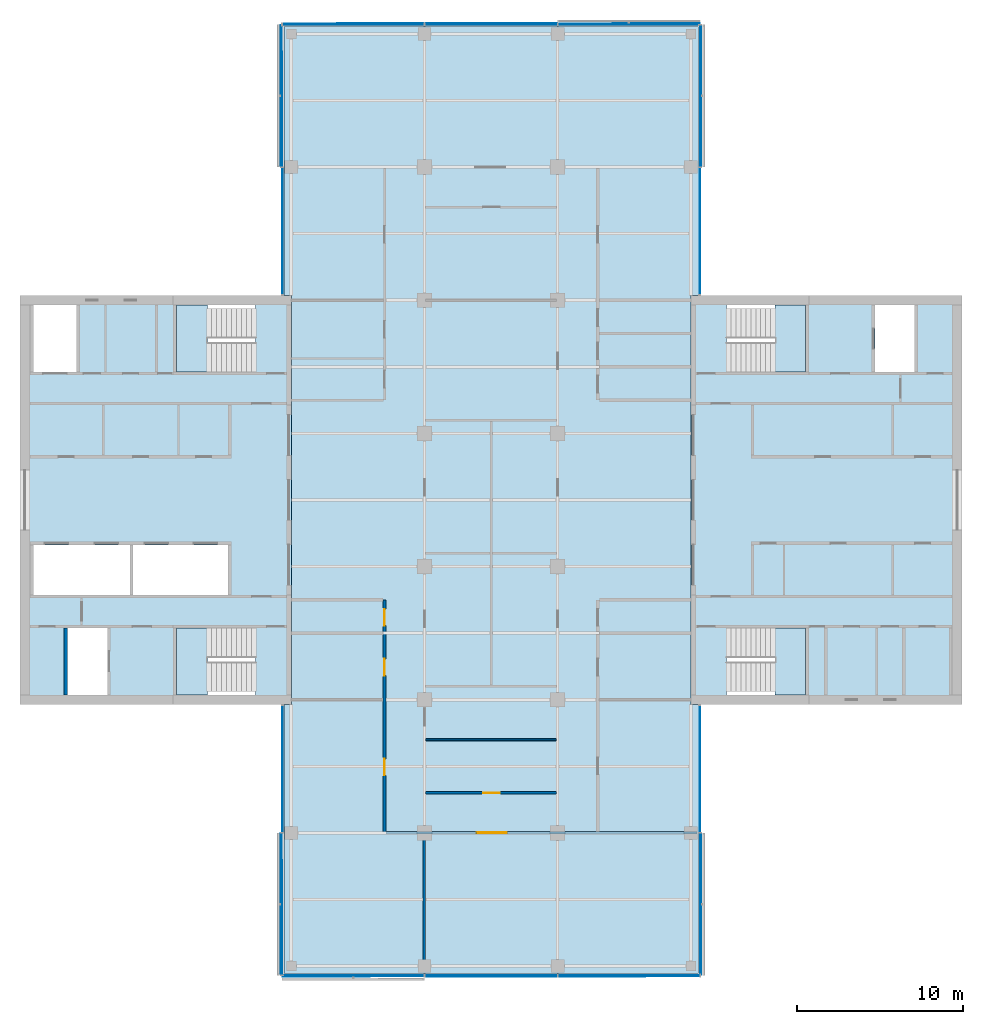
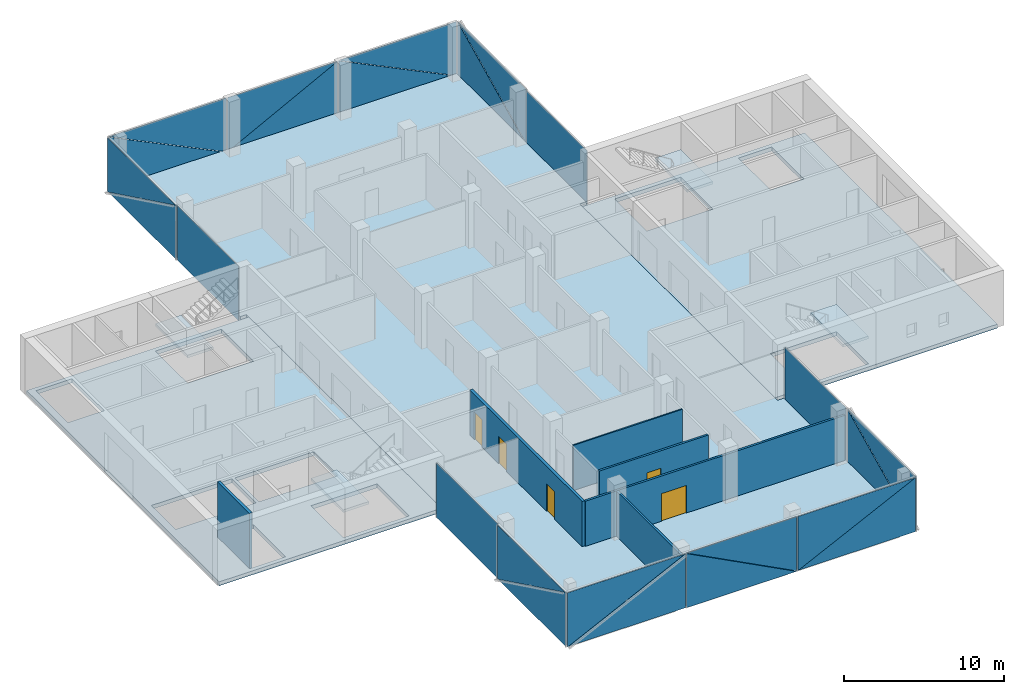
# One storey, part 8 of 16: 24 plates, 7 slabs, 6 walls, 5 doors, 5 openings, 14 elements without a shape of their own.
"""IFC4 building model written with IfcOpenShell, lengths in metres."""

from ifc_helpers import new_model, si_unit, direction, frame, frame_2d, origin, place, context, subcontext, project, spatial, polyline, rectangle, outline, extrude, material, layer, layer_set, type_object, element, fill, aggregate, save


model = new_model("IFC4")

# Units and contexts
model_context = context("Model", 3, precision=1e-05, world=origin(), true_north=direction((0.0, 1.0)))
body_context = subcontext(model_context, "Body", "Model", "MODEL_VIEW")
ifc_project = project(units=[si_unit("LENGTHUNIT", "METRE"), si_unit("AREAUNIT", "SQUARE_METRE"), si_unit("VOLUMEUNIT", "CUBIC_METRE"), si_unit("PLANEANGLEUNIT", "RADIAN"), si_unit("MASSUNIT", "GRAM", prefix="KILO")], contexts=[model_context])

# Site, building, storey
site_placement = place(None, origin())
site = spatial("IfcSite", under=ifc_project, at=site_placement, CompositionType="ELEMENT")
building_placement = place(site_placement, origin())
building = spatial("IfcBuilding", under=site, at=building_placement, Name="Crosswind Convention Tower", CompositionType="ELEMENT")
storey_placement = place(building_placement, frame((0.0, 0.0, 216.699951171875)))
storey = spatial("IfcBuildingStorey", under=building, at=storey_placement, Name="L46", CompositionType="ELEMENT", Elevation=216.699951171875)

# Slabs
ifc_material_1 = material(Name="Concrete C40/50", Category="concrete")
ifc_layer_1 = layer(ifc_material_1, 0.300048828125)
ifc_layer_set_1 = layer_set([ifc_layer_1], Name="Concrete C40/50")
slab_type_1 = type_object("IfcSlabType", Name="Composite floor slab 300", PredefinedType="FLOOR", material=ifc_layer_set_1)
slab_1_placement = place(storey_placement, frame((0.0, 0.0, -0.300048828125)))
element("IfcSlab", 1, at=slab_1_placement, inside=storey, type_object=slab_type_1, Name="Floor slab L46", PredefinedType="FLOOR", context=body_context, shape_type="SweptSolid", body=[
    extrude(outline(polyline([(137.449951171875, 71.550048828125), (137.0, 71.550048828125), (113.0, 71.550048828125), (112.550048828125, 71.550048828125), (112.550048828125, 72.0), (112.550048828125, 87.699951171875), (113.0, 87.699951171875), (113.0, 112.300048828125), (112.550048828125, 112.300048828125), (112.550048828125, 128.0), (112.550048828125, 128.449951171875), (113.0, 128.449951171875), (137.0, 128.449951171875), (137.449951171875, 128.449951171875), (137.449951171875, 128.0), (137.449951171875, 112.300048828125), (137.0, 112.300048828125), (137.0, 87.699951171875), (137.449951171875, 87.699951171875), (137.449951171875, 72.0), (137.449951171875, 71.550048828125)])), origin(), (0.0, 0.0, 1.0), 0.300048828125),
])
ifc_layer_2 = layer(ifc_material_1, 0.300048828125)
ifc_layer_set_2 = layer_set([ifc_layer_2], Name="Concrete C40/50")
slab_type_2 = type_object("IfcSlabType", Name="Concrete core floor slab 300", PredefinedType="FLOOR", material=ifc_layer_set_2)
slab_2_placement = place(storey_placement, frame((0.0, 0.0, -0.300048828125)))
element("IfcSlab", 2, at=slab_2_placement, inside=storey, type_object=slab_type_2, Name="Core floor slab E L46", PredefinedType="FLOOR", context=body_context, shape_type="SweptSolid", body=[
    extrude(outline(polyline([(137.0, 88.0), (153.0, 88.0), (153.0, 112.0), (137.0, 112.0), (137.0, 88.0)]), holes=[polyline([(150.449951171875, 107.699951171875), (150.449951171875, 111.699951171875), (148.050048828125, 111.699951171875), (148.050048828125, 107.699951171875), (150.449951171875, 107.699951171875)]), polyline([(143.89990234375, 107.699951171875), (143.89990234375, 111.699951171875), (139.14990234375, 111.699951171875), (139.14990234375, 107.699951171875), (143.89990234375, 107.699951171875)]), polyline([(143.89990234375, 88.300048828125), (143.89990234375, 92.300048828125), (139.14990234375, 92.300048828125), (139.14990234375, 88.300048828125), (143.89990234375, 88.300048828125)])]), origin(), (0.0, 0.0, 1.0), 0.300048828125),
])
slab_3_placement = place(storey_placement, frame((0.0, 0.0, -0.300048828125)))
element("IfcSlab", 3, at=slab_3_placement, inside=storey, type_object=slab_type_2, Name="Core floor slab W L46", PredefinedType="FLOOR", context=body_context, shape_type="SweptSolid", body=[
    extrude(outline(polyline([(97.0, 88.0), (113.0, 88.0), (113.0, 112.0), (97.0, 112.0), (97.0, 88.0)]), holes=[polyline([(109.199951171875, 94.300048828125), (109.199951171875, 97.300048828125), (103.5, 97.300048828125), (103.5, 94.300048828125), (109.199951171875, 94.300048828125)]), polyline([(103.300048828125, 94.300048828125), (103.300048828125, 97.300048828125), (97.5, 97.300048828125), (97.5, 94.300048828125), (103.300048828125, 94.300048828125)]), polyline([(101.949951171875, 88.300048828125), (101.949951171875, 92.300048828125), (99.550048828125, 92.300048828125), (99.550048828125, 88.300048828125), (101.949951171875, 88.300048828125)]), polyline([(100.10009765625, 107.699951171875), (100.10009765625, 111.699951171875), (97.5, 111.699951171875), (97.5, 107.699951171875), (100.10009765625, 107.699951171875)]), polyline([(110.85009765625, 88.300048828125), (110.85009765625, 92.300048828125), (106.10009765625, 92.300048828125), (106.10009765625, 88.300048828125), (110.85009765625, 88.300048828125)]), polyline([(110.85009765625, 107.699951171875), (110.85009765625, 111.699951171875), (106.10009765625, 111.699951171875), (106.10009765625, 107.699951171875), (110.85009765625, 107.699951171875)])]), origin(), (0.0, 0.0, 1.0), 0.300048828125),
])

# Stair, slab
stair_type = type_object("IfcStairType", Name="Exit stair 1800 wide, 2 flights of 11 risers", PredefinedType="HALF_TURN_STAIR", material=ifc_material_1)
stair_1_placement = place(storey_placement, origin())
stair_1 = element("IfcStair", 4, at=stair_1_placement, inside=storey, type_object=stair_type, Name="Exit stair ST1 L46", ObjectType="ST5", PredefinedType="HALF_TURN_STAIR")
ifc_layer_3 = layer(ifc_material_1, 0.199951171875)
ifc_layer_set_3 = layer_set([ifc_layer_3], Name="Concrete C40/50")
slab_type_3 = type_object("IfcSlabType", Name="Stair landing 200", PredefinedType="LANDING", material=ifc_layer_set_3)
slab_4_placement = place(storey_placement, frame((0.0, 0.0, 1.900146484375)))
slab_4 = element("IfcSlab", 5, at=slab_4_placement, type_object=slab_type_3, Name="ST1 landing 1", PredefinedType="LANDING", context=body_context, shape_type="SweptSolid", body=[
    extrude(outline(polyline([(143.89990234375, 107.699951171875), (143.89990234375, 111.699951171875), (142.050048828125, 111.699951171875), (142.050048828125, 107.699951171875), (143.89990234375, 107.699951171875)])), origin(), (0.0, 0.0, 1.0), 0.199951171875),
])
aggregate(stair_1, [slab_4])

stair_2_placement = place(storey_placement, origin())
stair_2 = element("IfcStair", 6, at=stair_2_placement, inside=storey, type_object=stair_type, Name="Exit stair ST2 L46", ObjectType="ST5", PredefinedType="HALF_TURN_STAIR")
slab_5_placement = place(storey_placement, frame((0.0, 0.0, 1.900146484375)))
slab_5 = element("IfcSlab", 7, at=slab_5_placement, type_object=slab_type_3, Name="ST2 landing 1", PredefinedType="LANDING", context=body_context, shape_type="SweptSolid", body=[
    extrude(outline(polyline([(143.89990234375, 88.300048828125), (143.89990234375, 92.300048828125), (142.050048828125, 92.300048828125), (142.050048828125, 88.300048828125), (143.89990234375, 88.300048828125)])), origin(), (0.0, 0.0, 1.0), 0.199951171875),
])
aggregate(stair_2, [slab_5])

stair_3_placement = place(storey_placement, origin())
stair_3 = element("IfcStair", 8, at=stair_3_placement, inside=storey, type_object=stair_type, Name="Exit stair ST3 L46", ObjectType="ST5", PredefinedType="HALF_TURN_STAIR")
slab_6_placement = place(storey_placement, frame((0.0, 0.0, 1.900146484375)))
slab_6 = element("IfcSlab", 9, at=slab_6_placement, type_object=slab_type_3, Name="ST3 landing 1", PredefinedType="LANDING", context=body_context, shape_type="SweptSolid", body=[
    extrude(outline(polyline([(107.949951171875, 88.300048828125), (107.949951171875, 92.300048828125), (106.10009765625, 92.300048828125), (106.10009765625, 88.300048828125), (107.949951171875, 88.300048828125)])), origin(), (0.0, 0.0, 1.0), 0.199951171875),
])
aggregate(stair_3, [slab_6])

stair_4_placement = place(storey_placement, origin())
stair_4 = element("IfcStair", 10, at=stair_4_placement, inside=storey, type_object=stair_type, Name="Exit stair ST4 L46", ObjectType="ST5", PredefinedType="HALF_TURN_STAIR")
slab_7_placement = place(storey_placement, frame((0.0, 0.0, 1.900146484375)))
slab_7 = element("IfcSlab", 11, at=slab_7_placement, type_object=slab_type_3, Name="ST4 landing 1", PredefinedType="LANDING", context=body_context, shape_type="SweptSolid", body=[
    extrude(outline(polyline([(107.949951171875, 107.699951171875), (107.949951171875, 111.699951171875), (106.10009765625, 111.699951171875), (106.10009765625, 107.699951171875), (107.949951171875, 107.699951171875)])), origin(), (0.0, 0.0, 1.0), 0.199951171875),
])
aggregate(stair_4, [slab_7])

# Curtain wall, plate
ifc_material_2 = material(Name="Aluminium unitised curtain wall", Category="aluminium")
curtain_wall_type_1 = type_object("IfcCurtainWallType", Name="CORE END SLOT WALL 160", PredefinedType="USERDEFINED", material=ifc_material_2)
curtain_wall_1_placement = place(storey_placement, origin())
curtain_wall_1 = element("IfcCurtainWall", 12, at=curtain_wall_1_placement, inside=storey, type_object=curtain_wall_type_1, Name="CW6 L46 N-E.1-1 slot", ObjectType="UNITISED", PredefinedType="USERDEFINED")
ifc_material_3 = material(Name="Laminated insulating glass unit", Category="glass")
ifc_layer_4 = layer(ifc_material_3, 0.02587890625)
ifc_layer_set_4 = layer_set([ifc_layer_4], Name="TRIANGULAR GLASS PANEL 26")
plate_type_1 = type_object("IfcPlateType", Name="TRIANGULAR GLASS PANEL 26", PredefinedType="CURTAIN_PANEL", material=ifc_layer_set_4)
plate_1_placement = place(storey_placement, frame((137.556884765625, 112.35009765625, -0.300048828125), z_axis=(0.999999915215, 0.0, 0.000411788894), x_axis=(0.0, 1.0, 0.0)))
plate_1 = element("IfcPlate", 13, at=plate_1_placement, type_object=plate_type_1, Name="CW6 panel 1.1", PredefinedType="CURTAIN_PANEL", context=body_context, shape_type="SweptSolid", body=[
    extrude(outline(polyline([(0.0, 0.0), (7.599853515625, 0.0), (7.599853515625, 4.150146836245408), (0.0, 4.150146836245408), (0.0, 0.0)])), origin(), (0.0, 0.0, -1.0), 0.02587890625),
])
aggregate(curtain_wall_1, [plate_1])

curtain_wall_2_placement = place(storey_placement, origin())
curtain_wall_2 = element("IfcCurtainWall", 14, at=curtain_wall_2_placement, inside=storey, type_object=curtain_wall_type_1, Name="CW6 L46 N-W.1-2 slot", ObjectType="UNITISED", PredefinedType="USERDEFINED")
plate_2_placement = place(storey_placement, frame((112.443115234375, 119.949951171875, -0.300048828125), z_axis=(-0.999999915215, 0.0, 0.000411788894), x_axis=(0.0, -1.0, 0.0)))
plate_2 = element("IfcPlate", 15, at=plate_2_placement, type_object=plate_type_1, Name="CW6 panel 1.1", PredefinedType="CURTAIN_PANEL", context=body_context, shape_type="SweptSolid", body=[
    extrude(outline(polyline([(0.0, 0.0), (7.599853515625, 0.0), (7.599853515625, 4.150146836245408), (0.0, 4.150146836245408), (0.0, 0.0)])), origin(), (0.0, 0.0, -1.0), 0.02587890625),
])
aggregate(curtain_wall_2, [plate_2])

curtain_wall_3_placement = place(storey_placement, origin())
curtain_wall_3 = element("IfcCurtainWall", 16, at=curtain_wall_3_placement, inside=storey, type_object=curtain_wall_type_1, Name="CW6 L46 S-W.1-1 slot", ObjectType="UNITISED", PredefinedType="USERDEFINED")
plate_3_placement = place(storey_placement, frame((112.443115234375, 87.64990234375, -0.300048828125), z_axis=(-0.999999915215, 0.0, 0.000411788894), x_axis=(0.0, -1.0, 0.0)))
plate_3 = element("IfcPlate", 17, at=plate_3_placement, type_object=plate_type_1, Name="CW6 panel 1.1", PredefinedType="CURTAIN_PANEL", context=body_context, shape_type="SweptSolid", body=[
    extrude(outline(polyline([(0.0, 0.0), (7.599853515625, 0.0), (7.599853515625, 4.150146836245408), (0.0, 4.150146836245408), (0.0, 0.0)])), origin(), (0.0, 0.0, -1.0), 0.02587890625),
])
aggregate(curtain_wall_3, [plate_3])

curtain_wall_4_placement = place(storey_placement, origin())
curtain_wall_4 = element("IfcCurtainWall", 18, at=curtain_wall_4_placement, inside=storey, type_object=curtain_wall_type_1, Name="CW6 L46 S-E.1-2 slot", ObjectType="UNITISED", PredefinedType="USERDEFINED")
plate_4_placement = place(storey_placement, frame((137.556884765625, 80.050048828125, -0.300048828125), z_axis=(0.999999915215, 0.0, 0.000411788894), x_axis=(0.0, 1.0, 0.0)))
plate_4 = element("IfcPlate", 19, at=plate_4_placement, type_object=plate_type_1, Name="CW6 panel 1.1", PredefinedType="CURTAIN_PANEL", context=body_context, shape_type="SweptSolid", body=[
    extrude(outline(polyline([(0.0, 0.0), (7.599853515625, 0.0), (7.599853515625, 4.150146836245408), (0.0, 4.150146836245408), (0.0, 0.0)])), origin(), (0.0, 0.0, -1.0), 0.02587890625),
])
aggregate(curtain_wall_4, [plate_4])

# Curtain wall, plates
curtain_wall_type_2 = type_object("IfcCurtainWallType", Name="OFFICE UNITISED WALL 220", PredefinedType="USERDEFINED", material=ifc_material_2)
curtain_wall_5_placement = place(storey_placement, origin())
curtain_wall_5 = element("IfcCurtainWall", 20, at=curtain_wall_5_placement, inside=storey, type_object=curtain_wall_type_2, Name="CW3 L46 N-E 1", ObjectType="UNITISED", PredefinedType="USERDEFINED")
ifc_layer_5 = layer(ifc_material_3, 0.031982421875)
ifc_layer_set_5 = layer_set([ifc_layer_5], Name="TRIANGULAR GLASS PANEL 32")
plate_type_2 = type_object("IfcPlateType", Name="TRIANGULAR GLASS PANEL 32", PredefinedType="CURTAIN_PANEL", material=ifc_layer_set_5)
plate_5_placement = place(storey_placement, frame((137.5927734375, 128.52490234375, -0.300048828125), z_axis=(0.999999913924, 0.0, 0.000414913129), x_axis=(-0.000414913129, 0.0, 0.999999913924)))
plate_5 = element("IfcPlate", 21, at=plate_5_placement, type_object=plate_type_2, Name="CW3 panel 1.1", PredefinedType="CURTAIN_PANEL", context=body_context, shape_type="SweptSolid", body=[
    extrude(outline(polyline([(0.0, 0.0), (4.118896838915043, 0.0), (0.0, 8.467041015624998), (0.0, 0.0)])), origin(), (0.0, 0.0, -1.0), 0.031982421875),
])
plate_6_placement = place(storey_placement, frame((137.625244140625, 120.034912109375, 3.830078125), z_axis=(0.99999993676, 0.0, 0.000355639833), x_axis=(0.000355639833, 0.0, -0.99999993676)))
plate_6 = element("IfcPlate", 22, at=plate_6_placement, type_object=plate_type_2, Name="CW3 panel 1.2", PredefinedType="CURTAIN_PANEL", context=body_context, shape_type="SweptSolid", body=[
    extrude(outline(polyline([(0.0, 0.0), (4.1188967448534015, 0.0), (0.0, 8.46728515625), (0.0, 0.0)])), origin(), (0.0, 0.0, -1.0), 0.031982421875),
])
aggregate(curtain_wall_5, [plate_5, plate_6])

curtain_wall_6_placement = place(storey_placement, origin())
curtain_wall_6 = element("IfcCurtainWall", 23, at=curtain_wall_6_placement, inside=storey, type_object=curtain_wall_type_2, Name="CW3 L46 N-TIP 1", ObjectType="UNITISED", PredefinedType="USERDEFINED")
plate_7_placement = place(storey_placement, frame((129.034912109375, 128.5927734375, -0.300048828125), z_axis=(0.0, 0.999999913924, 0.000414913129), x_axis=(0.0, -0.000414913129, 0.999999913924)))
plate_7 = element("IfcPlate", 24, at=plate_7_placement, type_object=plate_type_2, Name="CW3 panel 1.1", PredefinedType="CURTAIN_PANEL", context=body_context, shape_type="SweptSolid", body=[
    extrude(outline(polyline([(0.0, 0.0), (4.118896838915043, 0.0), (0.0, 8.467285156249998), (0.0, 0.0)])), origin(), (0.0, 0.0, -1.0), 0.031982421875),
])
plate_8_placement = place(storey_placement, frame((137.52490234375, 128.625244140625, 3.830078125), z_axis=(0.0, 0.99999993676, 0.000355639833), x_axis=(0.0, 0.000355639833, -0.99999993676)))
plate_8 = element("IfcPlate", 25, at=plate_8_placement, type_object=plate_type_2, Name="CW3 panel 1.2", PredefinedType="CURTAIN_PANEL", context=body_context, shape_type="SweptSolid", body=[
    extrude(outline(polyline([(0.0, 0.0), (4.1188967448534015, 0.0), (0.0, 8.467041015625), (0.0, 0.0)])), origin(), (0.0, 0.0, -1.0), 0.031982421875),
])
plate_9_placement = place(storey_placement, frame((121.034912109375, 128.591064453125, 3.830078125), z_axis=(0.0, 0.999999913913, 0.000414937724), x_axis=(1.0, 0.0, 0.0)))
plate_9 = element("IfcPlate", 26, at=plate_9_placement, type_object=plate_type_2, Name="CW3 panel 2.1", PredefinedType="CURTAIN_PANEL", context=body_context, shape_type="SweptSolid", body=[
    extrude(outline(polyline([(0.0, 0.0), (7.908447265625, 0.0), (0.0, 4.118652698311059), (0.0, 0.0)])), origin(), (0.0, 0.0, -1.0), 0.031982421875),
])
plate_10_placement = place(storey_placement, frame((128.965087890625, 128.626708984375, -0.300048828125), z_axis=(0.0, 0.99999993676, 0.000355639833), x_axis=(-1.0, 0.0, 0.0)))
plate_10 = element("IfcPlate", 27, at=plate_10_placement, type_object=plate_type_2, Name="CW3 panel 2.2", PredefinedType="CURTAIN_PANEL", context=body_context, shape_type="SweptSolid", body=[
    extrude(outline(polyline([(0.0, 0.0), (7.908447265625, 0.0), (0.0, 4.1188967448534015), (0.0, 0.0)])), origin(), (0.0, 0.0, -1.0), 0.031982421875),
])
plate_11_placement = place(storey_placement, frame((112.47509765625, 128.5927734375, -0.300048828125), z_axis=(0.0, 0.999999913924, 0.000414913129), x_axis=(0.0, -0.000414913129, 0.999999913924)))
plate_11 = element("IfcPlate", 28, at=plate_11_placement, type_object=plate_type_2, Name="CW3 panel 3.1", PredefinedType="CURTAIN_PANEL", context=body_context, shape_type="SweptSolid", body=[
    extrude(outline(polyline([(0.0, 0.0), (4.118896838915043, 0.0), (0.0, 8.467041015624998), (0.0, 0.0)])), origin(), (0.0, 0.0, -1.0), 0.031982421875),
])
plate_12_placement = place(storey_placement, frame((120.965087890625, 128.625244140625, 3.830078125), z_axis=(0.0, 0.99999993676, 0.000355639833), x_axis=(0.0, 0.000355639833, -0.99999993676)))
plate_12 = element("IfcPlate", 29, at=plate_12_placement, type_object=plate_type_2, Name="CW3 panel 3.2", PredefinedType="CURTAIN_PANEL", context=body_context, shape_type="SweptSolid", body=[
    extrude(outline(polyline([(0.0, 0.0), (4.1188967448534015, 0.0), (0.0, 8.46728515625), (0.0, 0.0)])), origin(), (0.0, 0.0, -1.0), 0.031982421875),
])
aggregate(curtain_wall_6, [plate_7, plate_8, plate_9, plate_10, plate_11, plate_12])

curtain_wall_7_placement = place(storey_placement, origin())
curtain_wall_7 = element("IfcCurtainWall", 30, at=curtain_wall_7_placement, inside=storey, type_object=curtain_wall_type_2, Name="CW3 L46 N-W 1", ObjectType="UNITISED", PredefinedType="USERDEFINED")
plate_13_placement = place(storey_placement, frame((112.4072265625, 120.034912109375, -0.300048828125), z_axis=(-0.999999913924, 0.0, 0.000414913129), x_axis=(0.000414913129, 0.0, 0.999999913924)))
plate_13 = element("IfcPlate", 31, at=plate_13_placement, type_object=plate_type_2, Name="CW3 panel 1.1", PredefinedType="CURTAIN_PANEL", context=body_context, shape_type="SweptSolid", body=[
    extrude(outline(polyline([(0.0, 0.0), (4.118896838915043, 0.0), (0.0, 8.467285156249998), (0.0, 0.0)])), origin(), (0.0, 0.0, -1.0), 0.031982421875),
])
plate_14_placement = place(storey_placement, frame((112.374755859375, 128.52490234375, 3.830078125), z_axis=(-0.99999993676, 0.0, 0.000355639833), x_axis=(-0.000355639833, 0.0, -0.99999993676)))
plate_14 = element("IfcPlate", 32, at=plate_14_placement, type_object=plate_type_2, Name="CW3 panel 1.2", PredefinedType="CURTAIN_PANEL", context=body_context, shape_type="SweptSolid", body=[
    extrude(outline(polyline([(0.0, 0.0), (4.1188967448534015, 0.0), (0.0, 8.467041015625), (0.0, 0.0)])), origin(), (0.0, 0.0, -1.0), 0.031982421875),
])
aggregate(curtain_wall_7, [plate_13, plate_14])

curtain_wall_8_placement = place(storey_placement, origin())
curtain_wall_8 = element("IfcCurtainWall", 33, at=curtain_wall_8_placement, inside=storey, type_object=curtain_wall_type_2, Name="CW3 L46 S-W 1", ObjectType="UNITISED", PredefinedType="USERDEFINED")
plate_15_placement = place(storey_placement, frame((112.4072265625, 71.47509765625, -0.300048828125), z_axis=(-0.999999913924, 0.0, 0.000414913129), x_axis=(0.000414913129, 0.0, 0.999999913924)))
plate_15 = element("IfcPlate", 34, at=plate_15_placement, type_object=plate_type_2, Name="CW3 panel 1.1", PredefinedType="CURTAIN_PANEL", context=body_context, shape_type="SweptSolid", body=[
    extrude(outline(polyline([(0.0, 0.0), (4.118896838915043, 0.0), (0.0, 8.467041015624998), (0.0, 0.0)])), origin(), (0.0, 0.0, -1.0), 0.031982421875),
])
plate_16_placement = place(storey_placement, frame((112.374755859375, 79.965087890625, 3.830078125), z_axis=(-0.99999993676, 0.0, 0.000355639833), x_axis=(-0.000355639833, 0.0, -0.99999993676)))
plate_16 = element("IfcPlate", 35, at=plate_16_placement, type_object=plate_type_2, Name="CW3 panel 1.2", PredefinedType="CURTAIN_PANEL", context=body_context, shape_type="SweptSolid", body=[
    extrude(outline(polyline([(0.0, 0.0), (4.1188967448534015, 0.0), (0.0, 8.46728515625), (0.0, 0.0)])), origin(), (0.0, 0.0, -1.0), 0.031982421875),
])
aggregate(curtain_wall_8, [plate_15, plate_16])

curtain_wall_9_placement = place(storey_placement, origin())
curtain_wall_9 = element("IfcCurtainWall", 36, at=curtain_wall_9_placement, inside=storey, type_object=curtain_wall_type_2, Name="CW3 L46 S-TIP 1", ObjectType="UNITISED", PredefinedType="USERDEFINED")
plate_17_placement = place(storey_placement, frame((120.965087890625, 71.4072265625, -0.300048828125), z_axis=(0.0, -0.999999913924, 0.000414913129), x_axis=(0.0, 0.000414913129, 0.999999913924)))
plate_17 = element("IfcPlate", 37, at=plate_17_placement, type_object=plate_type_2, Name="CW3 panel 1.1", PredefinedType="CURTAIN_PANEL", context=body_context, shape_type="SweptSolid", body=[
    extrude(outline(polyline([(0.0, 0.0), (4.118896838915043, 0.0), (0.0, 8.467285156249998), (0.0, 0.0)])), origin(), (0.0, 0.0, -1.0), 0.031982421875),
])
plate_18_placement = place(storey_placement, frame((112.47509765625, 71.374755859375, 3.830078125), z_axis=(0.0, -0.99999993676, 0.000355639833), x_axis=(0.0, -0.000355639833, -0.99999993676)))
plate_18 = element("IfcPlate", 38, at=plate_18_placement, type_object=plate_type_2, Name="CW3 panel 1.2", PredefinedType="CURTAIN_PANEL", context=body_context, shape_type="SweptSolid", body=[
    extrude(outline(polyline([(0.0, 0.0), (4.1188967448534015, 0.0), (0.0, 8.467041015625), (0.0, 0.0)])), origin(), (0.0, 0.0, -1.0), 0.031982421875),
])
plate_19_placement = place(storey_placement, frame((128.965087890625, 71.408935546875, 3.830078125), z_axis=(0.0, -0.999999913913, 0.000414937724), x_axis=(-1.0, 0.0, 0.0)))
plate_19 = element("IfcPlate", 39, at=plate_19_placement, type_object=plate_type_2, Name="CW3 panel 2.1", PredefinedType="CURTAIN_PANEL", context=body_context, shape_type="SweptSolid", body=[
    extrude(outline(polyline([(0.0, 0.0), (7.908447265625, 0.0), (0.0, 4.118652698311059), (0.0, 0.0)])), origin(), (0.0, 0.0, -1.0), 0.031982421875),
])
plate_20_placement = place(storey_placement, frame((121.034912109375, 71.373291015625, -0.300048828125), z_axis=(0.0, -0.99999993676, 0.000355639833), x_axis=(1.0, 0.0, 0.0)))
plate_20 = element("IfcPlate", 40, at=plate_20_placement, type_object=plate_type_2, Name="CW3 panel 2.2", PredefinedType="CURTAIN_PANEL", context=body_context, shape_type="SweptSolid", body=[
    extrude(outline(polyline([(0.0, 0.0), (7.908447265625, 0.0), (0.0, 4.1188967448534015), (0.0, 0.0)])), origin(), (0.0, 0.0, -1.0), 0.031982421875),
])
plate_21_placement = place(storey_placement, frame((137.52490234375, 71.4072265625, -0.300048828125), z_axis=(0.0, -0.999999913924, 0.000414913129), x_axis=(0.0, 0.000414913129, 0.999999913924)))
plate_21 = element("IfcPlate", 41, at=plate_21_placement, type_object=plate_type_2, Name="CW3 panel 3.1", PredefinedType="CURTAIN_PANEL", context=body_context, shape_type="SweptSolid", body=[
    extrude(outline(polyline([(0.0, 0.0), (4.118896838915043, 0.0), (0.0, 8.467041015624998), (0.0, 0.0)])), origin(), (0.0, 0.0, -1.0), 0.031982421875),
])
plate_22_placement = place(storey_placement, frame((129.034912109375, 71.374755859375, 3.830078125), z_axis=(0.0, -0.99999993676, 0.000355639833), x_axis=(0.0, -0.000355639833, -0.99999993676)))
plate_22 = element("IfcPlate", 42, at=plate_22_placement, type_object=plate_type_2, Name="CW3 panel 3.2", PredefinedType="CURTAIN_PANEL", context=body_context, shape_type="SweptSolid", body=[
    extrude(outline(polyline([(0.0, 0.0), (4.1188967448534015, 0.0), (0.0, 8.46728515625), (0.0, 0.0)])), origin(), (0.0, 0.0, -1.0), 0.031982421875),
])
aggregate(curtain_wall_9, [plate_17, plate_18, plate_19, plate_20, plate_21, plate_22])

curtain_wall_10_placement = place(storey_placement, origin())
curtain_wall_10 = element("IfcCurtainWall", 43, at=curtain_wall_10_placement, inside=storey, type_object=curtain_wall_type_2, Name="CW3 L46 S-E 1", ObjectType="UNITISED", PredefinedType="USERDEFINED")
plate_23_placement = place(storey_placement, frame((137.5927734375, 79.965087890625, -0.300048828125), z_axis=(0.999999913924, 0.0, 0.000414913129), x_axis=(-0.000414913129, 0.0, 0.999999913924)))
plate_23 = element("IfcPlate", 44, at=plate_23_placement, type_object=plate_type_2, Name="CW3 panel 1.1", PredefinedType="CURTAIN_PANEL", context=body_context, shape_type="SweptSolid", body=[
    extrude(outline(polyline([(0.0, 0.0), (4.118896838915043, 0.0), (0.0, 8.467285156249998), (0.0, 0.0)])), origin(), (0.0, 0.0, -1.0), 0.031982421875),
])
plate_24_placement = place(storey_placement, frame((137.625244140625, 71.47509765625, 3.830078125), z_axis=(0.99999993676, 0.0, 0.000355639833), x_axis=(0.000355639833, 0.0, -0.99999993676)))
plate_24 = element("IfcPlate", 45, at=plate_24_placement, type_object=plate_type_2, Name="CW3 panel 1.2", PredefinedType="CURTAIN_PANEL", context=body_context, shape_type="SweptSolid", body=[
    extrude(outline(polyline([(0.0, 0.0), (4.1188967448534015, 0.0), (0.0, 8.467041015625), (0.0, 0.0)])), origin(), (0.0, 0.0, -1.0), 0.031982421875),
])
aggregate(curtain_wall_10, [plate_23, plate_24])

# Wall, openings, doors
ifc_material_4 = material(Name="Concrete blockwork", Category="masonry")
ifc_layer_6 = layer(ifc_material_4, 0.199951171875)
ifc_layer_set_6 = layer_set([ifc_layer_6], Name="COMPARTMENT WALL 200 BLOCKWORK")
wall_type_1 = type_object("IfcWallType", Name="COMPARTMENT WALL 200 BLOCKWORK", PredefinedType="SOLIDWALL", material=ifc_layer_set_6)
wall_1_placement = place(storey_placement, frame((118.60009765625, 80.0, 0.0), z_axis=(0.0, 0.0, 1.0), x_axis=(0.0, 1.0, 0.0)))
wall_1 = element("IfcWall", 46, at=wall_1_placement, inside=storey, type_object=wall_type_1, Name="Compartment wall WT42", PredefinedType="SOLIDWALL", context=body_context, shape_type="SweptSolid", body=[
    extrude(rectangle(XDim=14.0, YDim=0.199951171875, at=frame_2d((7.0, 0.0))), origin(), (0.0, 0.0, 1.0), 3.43994140625),
])
opening_1_placement = place(wall_1_placement, frame((12.449951171875, 0.0, 0.0)))
opening_1 = element("IfcOpeningElement", 47, at=opening_1_placement, cuts=wall_1, Name="Opening L46-60", PredefinedType="OPENING", context=body_context, shape_type="SweptSolid", body=[
    extrude(rectangle(XDim=1.0, YDim=2.10009765625, at=frame_2d((0.5, 1.050048828125))), frame((0.0, 0.10986328125, 0.0), z_axis=(0.0, -1.0, 0.0), x_axis=(1.0, 0.0, 0.0)), (0.0, 0.0, 1.0), 0.219970703125),
])
opening_2_placement = place(wall_1_placement, frame((9.449951171875, 0.0, 0.0)))
opening_2 = element("IfcOpeningElement", 48, at=opening_2_placement, cuts=wall_1, Name="Opening L46-61", PredefinedType="OPENING", context=body_context, shape_type="SweptSolid", body=[
    extrude(rectangle(XDim=1.0, YDim=2.10009765625, at=frame_2d((0.5, 1.050048828125))), frame((0.0, 0.10986328125, 0.0), z_axis=(0.0, -1.0, 0.0), x_axis=(1.0, 0.0, 0.0)), (0.0, 0.0, 1.0), 0.219970703125),
])
opening_3_placement = place(wall_1_placement, frame((3.449951171875, 0.0, 0.0)))
opening_3 = element("IfcOpeningElement", 49, at=opening_3_placement, cuts=wall_1, Name="Opening L46-62", PredefinedType="OPENING", context=body_context, shape_type="SweptSolid", body=[
    extrude(rectangle(XDim=1.0, YDim=2.10009765625, at=frame_2d((0.5, 1.050048828125))), frame((0.0, 0.10986328125, 0.0), z_axis=(0.0, -1.0, 0.0), x_axis=(1.0, 0.0, 0.0)), (0.0, 0.0, 1.0), 0.219970703125),
])
ifc_material_5 = material(Name="Steel fire door", Category="steel")
door_type_1 = type_object("IfcDoorType", Name="PLANT ROOM DOOR 1000X2100 FD60", OperationType="NOTDEFINED", PredefinedType="DOOR", material=ifc_material_5)
door_1_placement = place(opening_1_placement, origin())
door_1 = element("IfcDoor", 50, at=door_1_placement, inside=storey, type_object=door_type_1, Name="Door L46-60", ObjectType="D43", OperationType="SINGLE_SWING_LEFT", OverallHeight=2.10009765625, OverallWidth=1.0, PredefinedType="DOOR", context=body_context, shape_type="SweptSolid", body=[
    extrude(rectangle(XDim=1.0, YDim=2.10009765625, at=frame_2d((0.5, 1.050048828125))), frame((0.0, 0.02490234375, 0.0), z_axis=(0.0, -1.0, 0.0), x_axis=(1.0, 0.0, 0.0)), (0.0, 0.0, 1.0), 0.050048828125),
])
fill(opening_1, door_1)
ifc_material_6 = material(Name="Timber fire door", Category="wood")
door_type_2 = type_object("IfcDoorType", Name="TENANCY ENTRANCE DOOR 1000X2100 FD30S", OperationType="NOTDEFINED", PredefinedType="DOOR", material=ifc_material_6)
door_2_placement = place(opening_2_placement, origin())
door_2 = element("IfcDoor", 51, at=door_2_placement, inside=storey, type_object=door_type_2, Name="Door L46-61", ObjectType="D41", OperationType="SINGLE_SWING_RIGHT", OverallHeight=2.10009765625, OverallWidth=1.0, PredefinedType="DOOR", context=body_context, shape_type="SweptSolid", body=[
    extrude(rectangle(XDim=1.0, YDim=2.10009765625, at=frame_2d((0.5, 1.050048828125))), frame((0.0, 0.02490234375, 0.0), z_axis=(0.0, -1.0, 0.0), x_axis=(1.0, 0.0, 0.0)), (0.0, 0.0, 1.0), 0.050048828125),
])
fill(opening_2, door_2)
door_3_placement = place(opening_3_placement, origin())
door_3 = element("IfcDoor", 52, at=door_3_placement, inside=storey, type_object=door_type_2, Name="Door L46-62", ObjectType="D41", OperationType="SINGLE_SWING_RIGHT", OverallHeight=2.10009765625, OverallWidth=1.0, PredefinedType="DOOR", context=body_context, shape_type="SweptSolid", body=[
    extrude(rectangle(XDim=1.0, YDim=2.10009765625, at=frame_2d((0.5, 1.050048828125))), frame((0.0, 0.02490234375, 0.0), z_axis=(0.0, -1.0, 0.0), x_axis=(1.0, 0.0, 0.0)), (0.0, 0.0, 1.0), 0.050048828125),
])
fill(opening_3, door_3)

# Walls
ifc_material_7 = material(Name="Concrete C50/60", Category="concrete")
ifc_layer_7 = layer(ifc_material_7, 0.199951171875)
ifc_layer_set_7 = layer_set([ifc_layer_7], Name="Concrete C50/60")
wall_type_2 = type_object("IfcWallType", Name="Concrete shaft and stair wall 200", PredefinedType="SHEAR", material=ifc_layer_set_7)
wall_2_placement = place(storey_placement, frame((99.449951171875, 92.300048828125, 0.0), z_axis=(0.0, 0.0, 1.0), x_axis=(0.0, -1.0, 0.0)))
element("IfcWall", 53, at=wall_2_placement, inside=storey, type_object=wall_type_2, Name="Wall PFSE W L46", PredefinedType="SHEAR", context=body_context, shape_type="SweptSolid", body=[
    extrude(rectangle(XDim=4.0, YDim=0.199951171875, at=frame_2d((2.0, 0.0))), origin(), (0.0, 0.0, 1.0), 4.199951171875),
])
ifc_material_8 = material(Name="Plasterboard partition", Category="gypsum")
ifc_layer_8 = layer(ifc_material_8, 0.10009765625)
ifc_layer_set_8 = layer_set([ifc_layer_8], Name="PARTITION 100 METAL STUD")
wall_type_3 = type_object("IfcWallType", Name="PARTITION 100 METAL STUD", PredefinedType="PARTITIONING", material=ifc_layer_set_8)
wall_3_placement = place(storey_placement, frame((121.074951171875, 85.60009765625, 0.0), z_axis=(0.0, 0.0, 1.0), x_axis=(1.0, 0.0, 0.0)))
element("IfcWall", 54, at=wall_3_placement, inside=storey, type_object=wall_type_3, Name="Partition wall WT40", PredefinedType="PARTITIONING", context=body_context, shape_type="SweptSolid", body=[
    extrude(rectangle(XDim=7.85009765625, YDim=0.10009765625, at=frame_2d((3.925048828125, 0.0))), origin(), (0.0, 0.0, 1.0), 3.43994140625),
])
ifc_material_9 = material(Name="Fire-board partition with mineral wool", Category="gypsum")
ifc_layer_9 = layer(ifc_material_9, 0.14990234375)
ifc_layer_set_9 = layer_set([ifc_layer_9], Name="TENANCY WALL 150 TWO-HOUR BOARD")
wall_type_4 = type_object("IfcWallType", Name="TENANCY WALL 150 TWO-HOUR BOARD", PredefinedType="PARTITIONING", material=ifc_layer_set_9)
wall_4_placement = place(storey_placement, frame((121.0, 71.6298828125, 0.0), z_axis=(0.0, 0.0, 1.0), x_axis=(0.0, 1.0, 0.0)))
element("IfcWall", 55, at=wall_4_placement, inside=storey, type_object=wall_type_4, Name="Tenancy wall WT41", PredefinedType="PARTITIONING", context=body_context, shape_type="SweptSolid", body=[
    extrude(rectangle(XDim=8.295166015625, YDim=0.14990234375, at=frame_2d((4.1474609375, 0.0))), origin(), (0.0, 0.0, 1.0), 3.43994140625),
])

# Wall, opening, door
wall_5_placement = place(storey_placement, frame((118.699951171875, 80.0, 0.0), z_axis=(0.0, 0.0, 1.0), x_axis=(1.0, 0.0, 0.0)))
wall_5 = element("IfcWall", 56, at=wall_5_placement, inside=storey, type_object=wall_type_4, Name="Tenancy wall WT41", PredefinedType="PARTITIONING", context=body_context, shape_type="SweptSolid", body=[
    extrude(rectangle(XDim=18.670166015625, YDim=0.14990234375, at=frame_2d((9.3349609375, 0.0))), origin(), (0.0, 0.0, 1.0), 3.43994140625),
])
opening_4_placement = place(wall_5_placement, frame((5.449951171875, 0.0, 0.0)))
opening_4 = element("IfcOpeningElement", 57, at=opening_4_placement, cuts=wall_5, Name="Opening L46-64", PredefinedType="OPENING", context=body_context, shape_type="SweptSolid", body=[
    extrude(rectangle(XDim=1.800048828125, YDim=2.10009765625, at=frame_2d((0.89990234375, 1.050048828125))), frame((0.0, 0.0849609375, 0.0), z_axis=(0.0, -1.0, 0.0), x_axis=(1.0, 0.0, 0.0)), (0.0, 0.0, 1.0), 0.169921875),
])
door_type_3 = type_object("IfcDoorType", Name="TENANCY ENTRANCE DOUBLE DOOR 1800X2100 FD30S", OperationType="DOUBLE_DOOR_SINGLE_SWING", PredefinedType="DOOR", material=ifc_material_6)
door_4_placement = place(opening_4_placement, frame((1.800048828125, 0.0, 0.0), z_axis=(0.0, 0.0, 1.0), x_axis=(-1.0, 0.0, 0.0)))
door_4 = element("IfcDoor", 58, at=door_4_placement, inside=storey, type_object=door_type_3, Name="Door L46-64", ObjectType="D42", OperationType="DOUBLE_DOOR_SINGLE_SWING", OverallHeight=2.10009765625, OverallWidth=1.800048828125, PredefinedType="DOOR", context=body_context, shape_type="SweptSolid", body=[
    extrude(rectangle(XDim=1.800048828125, YDim=2.10009765625, at=frame_2d((0.89990234375, 1.050048828125))), frame((0.0, 0.02490234375, 0.0), z_axis=(0.0, -1.0, 0.0), x_axis=(1.0, 0.0, 0.0)), (0.0, 0.0, 1.0), 0.050048828125),
])
fill(opening_4, door_4)

wall_6_placement = place(storey_placement, frame((121.074951171875, 82.39990234375, 0.0), z_axis=(0.0, 0.0, 1.0), x_axis=(1.0, 0.0, 0.0)))
wall_6 = element("IfcWall", 59, at=wall_6_placement, inside=storey, type_object=wall_type_4, Name="Tenancy wall WT41", PredefinedType="PARTITIONING", context=body_context, shape_type="SweptSolid", body=[
    extrude(rectangle(XDim=7.85009765625, YDim=0.14990234375, at=frame_2d((3.925048828125, 0.0))), origin(), (0.0, 0.0, 1.0), 3.43994140625),
])
opening_5_placement = place(wall_6_placement, frame((3.449951171875, 0.0, 0.0)))
opening_5 = element("IfcOpeningElement", 60, at=opening_5_placement, cuts=wall_6, Name="Opening L46-65", PredefinedType="OPENING", context=body_context, shape_type="SweptSolid", body=[
    extrude(rectangle(XDim=1.0, YDim=2.10009765625, at=frame_2d((0.5, 1.050048828125))), frame((0.0, 0.0849609375, 0.0), z_axis=(0.0, -1.0, 0.0), x_axis=(1.0, 0.0, 0.0)), (0.0, 0.0, 1.0), 0.169921875),
])
door_5_placement = place(opening_5_placement, origin())
door_5 = element("IfcDoor", 61, at=door_5_placement, inside=storey, type_object=door_type_2, Name="Door L46-65", ObjectType="D41", OperationType="SINGLE_SWING_RIGHT", OverallHeight=2.10009765625, OverallWidth=1.0, PredefinedType="DOOR", context=body_context, shape_type="SweptSolid", body=[
    extrude(rectangle(XDim=1.0, YDim=2.10009765625, at=frame_2d((0.5, 1.050048828125))), frame((0.0, 0.02490234375, 0.0), z_axis=(0.0, -1.0, 0.0), x_axis=(1.0, 0.0, 0.0)), (0.0, 0.0, 1.0), 0.050048828125),
])
fill(opening_5, door_5)

save(model, "model.ifc")
